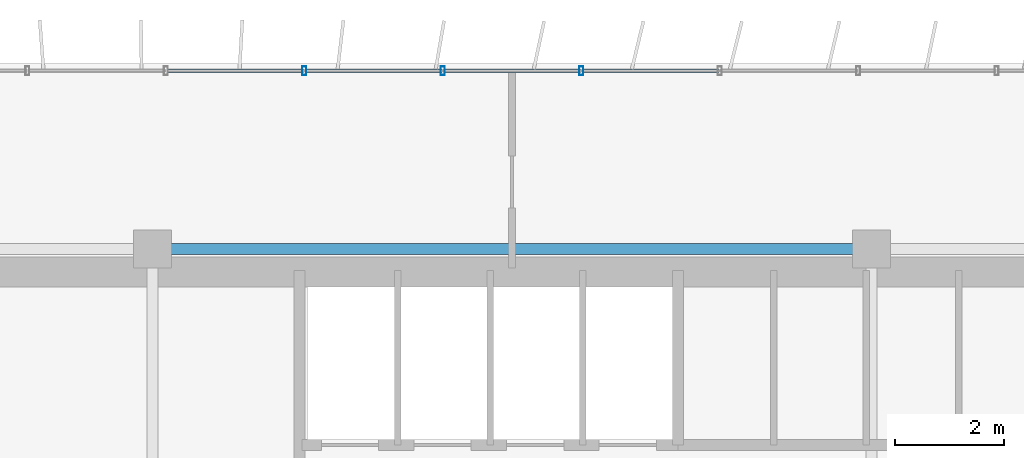
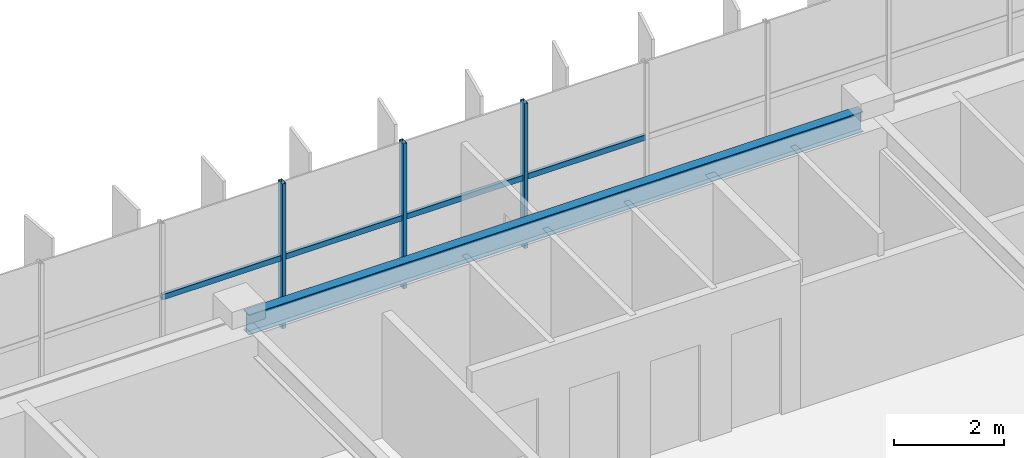
# One storey, part 22 of 37: 7 members, 1 beam, 1 element without a shape of its own.
"""IFC4 building model written with IfcOpenShell, lengths in metres."""

from ifc_helpers import new_model, si_unit, direction, frame, origin, origin_2d, place, context, subcontext, project, spatial, hollow_rectangle, i_section, extrude, source, transform, mapped, material, material_profile, profile_set, type_object, element, aggregate, save


model = new_model("IFC4")

# Units and contexts
model_context = context("Model", 3, precision=1e-05, world=origin(), true_north=direction((0.0, 1.0)))
body_context = subcontext(model_context, "Body", "Model", "MODEL_VIEW")
ifc_project = project(units=[si_unit("LENGTHUNIT", "METRE"), si_unit("AREAUNIT", "SQUARE_METRE"), si_unit("VOLUMEUNIT", "CUBIC_METRE"), si_unit("PLANEANGLEUNIT", "RADIAN"), si_unit("MASSUNIT", "GRAM", prefix="KILO")], contexts=[model_context])

# Site, building, storey
site_placement = place(None, origin())
site = spatial("IfcSite", under=ifc_project, at=site_placement, CompositionType="ELEMENT")
building_placement = place(site_placement, origin())
building = spatial("IfcBuilding", under=site, at=building_placement, Name="Trelvane Seafront Commons", CompositionType="ELEMENT")
storey_placement = place(building_placement, frame((0.0, 0.0, 201.300048828125)))
storey = spatial("IfcBuildingStorey", under=building, at=storey_placement, Name="L52", CompositionType="ELEMENT", Elevation=201.300048828125)

# Beam
ifc_material_1 = material(Name="Steel SM355 (S355)", Category="steel")
ifc_material_profile_1 = material_profile(ifc_material_1, i_section(OverallWidth=0.199951171875, OverallDepth=0.449951171875, WebThickness=0.009033203125, FlangeThickness=0.013916015625, at=origin_2d()), Name="H-450x200x9x14")
ifc_profile_set_1 = profile_set([ifc_material_profile_1], Name="Steel SM355 (S355)")
beam_type = type_object("IfcBeamType", Name="STR-SPD-H450", PredefinedType="SPANDREL", material=ifc_profile_set_1)
shared_shape_1 = source(origin(), body_context, "Body", "SweptSolid", [
    extrude(i_section(OverallWidth=0.199951171875, OverallDepth=0.449951171875, WebThickness=0.009033203125, FlangeThickness=0.013916015625, at=origin_2d()), origin(), (0.0, 0.0, 1.0), 12.89990234375),
])
beam_placement = place(storey_placement, frame((30.75, 45.10009765625, 2.994873046875), z_axis=(1.0, 0.0, 0.0), x_axis=(0.0, 1.0, 0.0)))
element("IfcBeam", 1, at=beam_placement, inside=storey, type_object=beam_type, Name="L52 Primary Girder G-25", PredefinedType="SPANDREL", context=body_context, shape_type="MappedRepresentation", body=[
    mapped(shared_shape_1, transform((0.0, 0.0, 0.0), x_axis=(1.0, 0.0, 0.0), y_axis=(0.0, 1.0, 0.0), z_axis=(0.0, 0.0, 1.0), scale=1.0)),
])

# Curtain wall, members
ifc_material_2 = material(Name="Anodised pale-silver aluminium", Category="aluminium")
curtain_wall_type = type_object("IfcCurtainWallType", Name="ARCH-CW5-UPTOWER", PredefinedType="NOTDEFINED", material=ifc_material_2)
curtain_wall_placement = place(storey_placement, origin())
curtain_wall = element("IfcCurtainWall", 2, at=curtain_wall_placement, inside=storey, type_object=curtain_wall_type, Name="CW-L52-0090", PredefinedType="NOTDEFINED")
ifc_material_profile_2 = material_profile(ifc_material_2, hollow_rectangle(XDim=0.070068359375, YDim=0.1201171875, WallThickness=0.00390625, at=origin_2d()), Name="TRAN-70x120x4")
ifc_profile_set_2 = profile_set([ifc_material_profile_2], Name="Anodised pale-silver aluminium")
member_type_1 = type_object("IfcMemberType", Name="ARCH-CW-TRAN-120", PredefinedType="USERDEFINED", material=ifc_profile_set_2)
shared_shape_2 = source(origin(), body_context, "Body", "SweptSolid", [
    extrude(hollow_rectangle(XDim=0.070068359375, YDim=0.1201171875, WallThickness=0.00390625, at=origin_2d()), origin(), (0.0, 0.0, 1.0), 2.51708984375),
])
member_1_placement = place(storey_placement, frame((30.859130859375, 48.3701171875, 1.5458984375), z_axis=(1.0, 0.0, 0.0), x_axis=(0.0, 1.0, 0.0)))
member_1 = element("IfcMember", 3, at=member_1_placement, type_object=member_type_1, Name="CW-L52-0090-T06", ObjectType="TRANSOM", PredefinedType="USERDEFINED", context=body_context, shape_type="MappedRepresentation", body=[
    mapped(shared_shape_2, transform((0.0, 0.0, 0.0), x_axis=(1.0, 0.0, 0.0), y_axis=(0.0, 1.0, 0.0), z_axis=(0.0, 0.0, 1.0), scale=1.0)),
])
member_2_placement = place(storey_placement, frame((35.94140625, 48.3701171875, 1.5458984375), z_axis=(1.0, 0.0, 0.0), x_axis=(0.0, 1.0, 0.0)))
member_2 = element("IfcMember", 4, at=member_2_placement, type_object=member_type_1, Name="CW-L52-0090-T08", ObjectType="TRANSOM", PredefinedType="USERDEFINED", context=body_context, shape_type="MappedRepresentation", body=[
    mapped(shared_shape_2, transform((0.0, 0.0, 0.0), x_axis=(1.0, 0.0, 0.0), y_axis=(0.0, 1.0, 0.0), z_axis=(0.0, 0.0, 1.0), scale=1.0)),
])
member_3_placement = place(storey_placement, frame((38.482666015625, 48.3701171875, 1.5458984375), z_axis=(1.0, 0.0, 0.0), x_axis=(0.0, 1.0, 0.0)))
member_3 = element("IfcMember", 5, at=member_3_placement, type_object=member_type_1, Name="CW-L52-0090-T09", ObjectType="TRANSOM", PredefinedType="USERDEFINED", context=body_context, shape_type="MappedRepresentation", body=[
    mapped(shared_shape_2, transform((0.0, 0.0, 0.0), x_axis=(1.0, 0.0, 0.0), y_axis=(0.0, 1.0, 0.0), z_axis=(0.0, 0.0, 1.0), scale=1.0)),
])
shared_shape_3 = source(origin(), body_context, "Body", "SweptSolid", [
    extrude(hollow_rectangle(XDim=0.070068359375, YDim=0.1201171875, WallThickness=0.00390625, at=origin_2d()), origin(), (0.0, 0.0, 1.0), 2.517333984375),
])
member_4_placement = place(storey_placement, frame((33.400146484375, 48.3701171875, 1.5458984375), z_axis=(1.0, 0.0, 0.0), x_axis=(0.0, 1.0, 0.0)))
member_4 = element("IfcMember", 6, at=member_4_placement, type_object=member_type_1, Name="CW-L52-0090-T07", ObjectType="TRANSOM", PredefinedType="USERDEFINED", context=body_context, shape_type="MappedRepresentation", body=[
    mapped(shared_shape_3, transform((0.0, 0.0, 0.0), x_axis=(1.0, 0.0, 0.0), y_axis=(0.0, 1.0, 0.0), z_axis=(0.0, 0.0, 1.0), scale=1.0)),
])
ifc_material_profile_3 = material_profile(ifc_material_2, hollow_rectangle(XDim=0.074951171875, YDim=0.159912109375, WallThickness=0.00390625, at=origin_2d()), Name="MULL-75x160x4")
ifc_profile_set_3 = profile_set([ifc_material_profile_3], Name="Anodised pale-silver aluminium")
member_type_2 = type_object("IfcMemberType", Name="ARCH-CW-MULL-160", PredefinedType="MULLION", material=ifc_profile_set_3)
shared_shape_4 = source(origin(), body_context, "Body", "SweptSolid", [
    extrude(hollow_rectangle(XDim=0.074951171875, YDim=0.159912109375, WallThickness=0.00390625, at=origin_2d()), origin(), (0.0, 0.0, 1.0), 3.219970703125),
])
member_5_placement = place(storey_placement, frame((33.38818359375, 48.3701171875, 0.0), z_axis=(0.0, 0.0, 1.0), x_axis=(1.0, 0.0, 0.0)))
member_5 = element("IfcMember", 7, at=member_5_placement, type_object=member_type_2, Name="CW-L52-0090-M07", PredefinedType="MULLION", context=body_context, shape_type="MappedRepresentation", body=[
    mapped(shared_shape_4, transform((0.0, 0.0, 0.0), x_axis=(1.0, 0.0, 0.0), y_axis=(0.0, 1.0, 0.0), z_axis=(0.0, 0.0, 1.0), scale=1.0)),
])
member_6_placement = place(storey_placement, frame((35.929443359375, 48.3701171875, 0.0), z_axis=(0.0, 0.0, 1.0), x_axis=(1.0, 0.0, 0.0)))
member_6 = element("IfcMember", 8, at=member_6_placement, type_object=member_type_2, Name="CW-L52-0090-M08", PredefinedType="MULLION", context=body_context, shape_type="MappedRepresentation", body=[
    mapped(shared_shape_4, transform((0.0, 0.0, 0.0), x_axis=(1.0, 0.0, 0.0), y_axis=(0.0, 1.0, 0.0), z_axis=(0.0, 0.0, 1.0), scale=1.0)),
])
member_7_placement = place(storey_placement, frame((38.470703125, 48.3701171875, 0.0), z_axis=(0.0, 0.0, 1.0), x_axis=(1.0, 0.0, 0.0)))
member_7 = element("IfcMember", 9, at=member_7_placement, type_object=member_type_2, Name="CW-L52-0090-M09", PredefinedType="MULLION", context=body_context, shape_type="MappedRepresentation", body=[
    mapped(shared_shape_4, transform((0.0, 0.0, 0.0), x_axis=(1.0, 0.0, 0.0), y_axis=(0.0, 1.0, 0.0), z_axis=(0.0, 0.0, 1.0), scale=1.0)),
])
aggregate(curtain_wall, [member_5, member_6, member_7, member_1, member_4, member_2, member_3])

save(model, "model.ifc")
